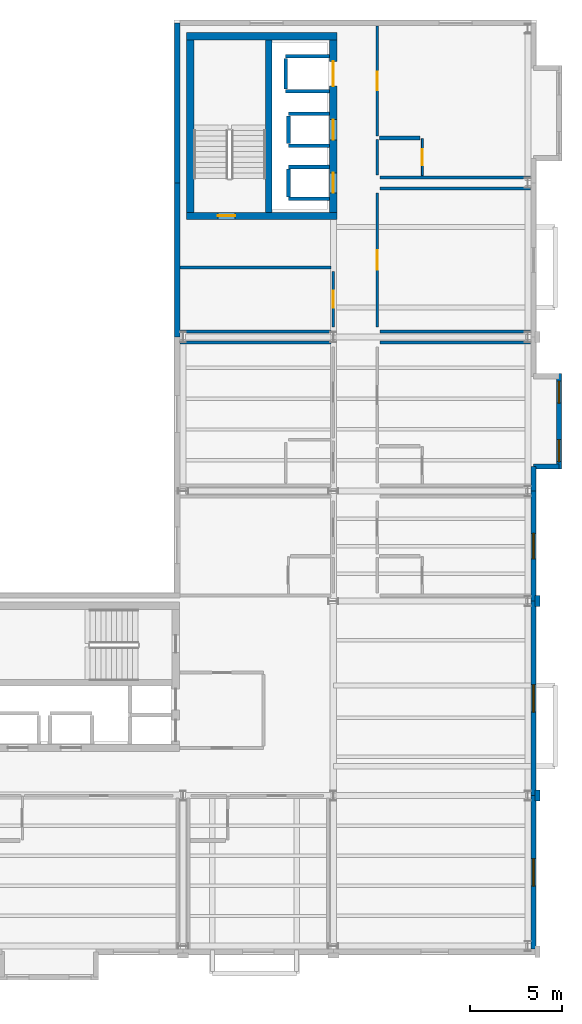
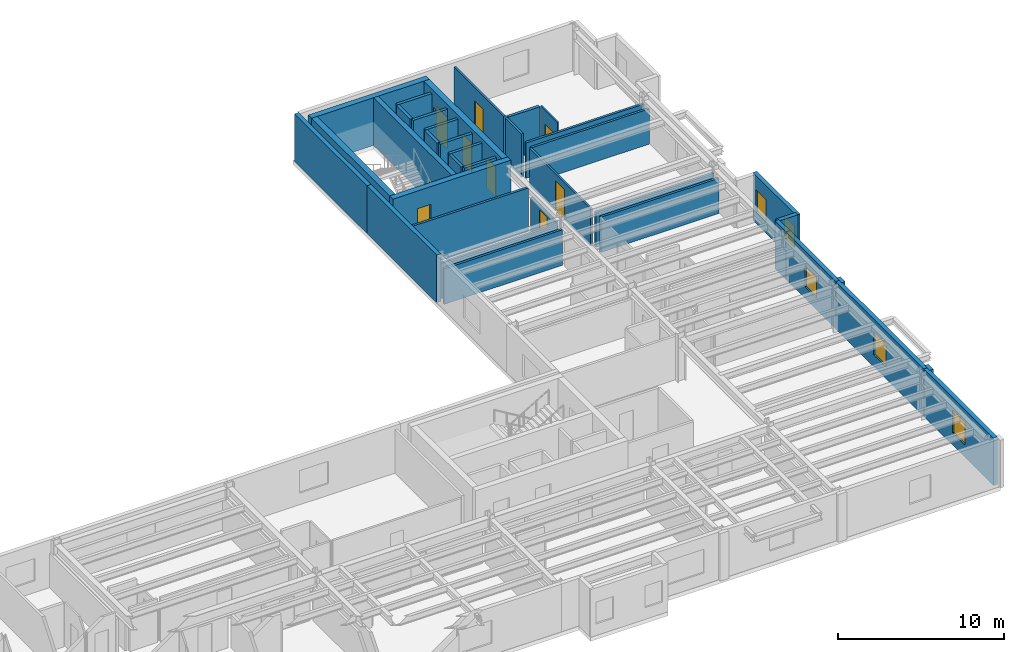
# One storey, part 14 of 17: 37 walls, 8 doors, 5 windows, 13 openings.
"""IFC4 building model written with IfcOpenShell, lengths in metres."""

from ifc_helpers import new_model, si_unit, direction, frame, frame_2d, origin, place, context, subcontext, project, spatial, rectangle, extrude, material, layer, layer_set, type_object, element, fill, save


model = new_model("IFC4")

# Units and contexts
model_context = context("Model", 3, precision=1e-05, world=origin(), true_north=direction((0.0, 1.0)))
body_context = subcontext(model_context, "Body", "Model", "MODEL_VIEW")
ifc_project = project(units=[si_unit("LENGTHUNIT", "METRE"), si_unit("AREAUNIT", "SQUARE_METRE"), si_unit("VOLUMEUNIT", "CUBIC_METRE"), si_unit("PLANEANGLEUNIT", "RADIAN"), si_unit("MASSUNIT", "GRAM", prefix="KILO")], contexts=[model_context])

# Site, building, storey
site_placement = place(None, origin())
site = spatial("IfcSite", under=ifc_project, at=site_placement, CompositionType="ELEMENT")
building_placement = place(site_placement, origin())
building = spatial("IfcBuilding", under=site, at=building_placement, Name="Sollismere Congress Hotel", CompositionType="ELEMENT")
storey_placement = place(building_placement, frame((0.0, 0.0, 37.60009765625)))
storey = spatial("IfcBuildingStorey", under=building, at=storey_placement, Name="L09", CompositionType="ELEMENT", Elevation=37.60009765625)

# Wall, opening, window
ifc_material_1 = material(Name="Colorado Buff Sandstone Rainscreen on Insulated Backup", Category="masonry")
ifc_layer_1 = layer(ifc_material_1, 0.284912109375, Name="Colorado Buff Sandstone Rainscreen on Insulated Backup")
ifc_layer_set_1 = layer_set([ifc_layer_1], Name="Colorado Buff Sandstone Rainscreen on Insulated Backup")
wall_type_1 = type_object("IfcWallType", Name="WL-EXT285", PredefinedType="STANDARD", material=ifc_layer_set_1)
wall_1_placement = place(storey_placement, frame((166.31005859375, -0.16552734375, 0.0), z_axis=(0.0, 0.0, 1.0), x_axis=(0.0, 1.0, 0.0)))
wall_1 = element("IfcWall", 1, at=wall_1_placement, inside=storey, type_object=wall_type_1, Name="Exterior wall EW-L09-908", PredefinedType="STANDARD", context=body_context, shape_type="SweptSolid", body=[
    extrude(rectangle(XDim=8.365478515625, YDim=0.284912109375, at=frame_2d((4.1826171875, 0.0))), origin(), (0.0, 0.0, 1.0), 3.5),
])
opening_1_placement = place(wall_1_placement, frame((3.4326171875, 0.0, 0.8798828125)))
opening_1 = element("IfcOpeningElement", 2, at=opening_1_placement, cuts=wall_1, Name="Opening W-L09-652", PredefinedType="OPENING", context=body_context, shape_type="SweptSolid", body=[
    extrude(rectangle(XDim=1.5, YDim=1.699951171875, at=frame_2d((0.75, 0.85009765625))), frame((0.0, 0.15234375, 0.0), z_axis=(0.0, -1.0, 0.0), x_axis=(1.0, 0.0, 0.0)), (0.0, 0.0, 1.0), 0.304931640625),
])
ifc_material_2 = material(Name="Thermally Broken Bronze Aluminum & Low-E Glass", Category="aluminium")
window_type_1 = type_object("IfcWindowType", Name="WN-P150x170", PartitioningType="SINGLE_PANEL", PredefinedType="WINDOW", material=ifc_material_2)
window_1_placement = place(opening_1_placement, origin())
window_1 = element("IfcWindow", 3, at=window_1_placement, inside=storey, type_object=window_type_1, Name="WIN-W-L09-652", OverallHeight=1.699951171875, OverallWidth=1.5, PartitioningType="SINGLE_PANEL", PredefinedType="WINDOW", context=body_context, shape_type="SweptSolid", body=[
    extrude(rectangle(XDim=1.5, YDim=1.699951171875, at=frame_2d((0.75, 0.85009765625))), frame((0.0, 0.030029296875, 0.0), z_axis=(0.0, -1.0, 0.0), x_axis=(1.0, 0.0, 0.0)), (0.0, 0.0, 1.0), 0.06005859375),
])
fill(opening_1, window_1)

wall_2_placement = place(storey_placement, frame((166.31005859375, 8.199951171875, 0.0), z_axis=(0.0, 0.0, 1.0), x_axis=(0.0, 1.0, 0.0)))
wall_2 = element("IfcWall", 4, at=wall_2_placement, inside=storey, type_object=wall_type_1, Name="Exterior wall EW-L09-910", PredefinedType="STANDARD", context=body_context, shape_type="SweptSolid", body=[
    extrude(rectangle(XDim=10.60009765625, YDim=0.284912109375, at=frame_2d((5.300048828125, 0.0))), origin(), (0.0, 0.0, 1.0), 3.5),
])
opening_2_placement = place(wall_2_placement, frame((4.550048828125, 0.0, 0.8798828125)))
opening_2 = element("IfcOpeningElement", 5, at=opening_2_placement, cuts=wall_2, Name="Opening W-L09-653", PredefinedType="OPENING", context=body_context, shape_type="SweptSolid", body=[
    extrude(rectangle(XDim=1.5, YDim=1.699951171875, at=frame_2d((0.75, 0.85009765625))), frame((0.0, 0.15234375, 0.0), z_axis=(0.0, -1.0, 0.0), x_axis=(1.0, 0.0, 0.0)), (0.0, 0.0, 1.0), 0.304931640625),
])
window_2_placement = place(opening_2_placement, origin())
window_2 = element("IfcWindow", 6, at=window_2_placement, inside=storey, type_object=window_type_1, Name="WIN-W-L09-653", OverallHeight=1.699951171875, OverallWidth=1.5, PartitioningType="SINGLE_PANEL", PredefinedType="WINDOW", context=body_context, shape_type="SweptSolid", body=[
    extrude(rectangle(XDim=1.5, YDim=1.699951171875, at=frame_2d((0.75, 0.85009765625))), frame((0.0, 0.030029296875, 0.0), z_axis=(0.0, -1.0, 0.0), x_axis=(1.0, 0.0, 0.0)), (0.0, 0.0, 1.0), 0.06005859375),
])
fill(opening_2, window_2)

wall_3_placement = place(storey_placement, frame((166.31005859375, 18.800048828125, 0.0), z_axis=(0.0, 0.0, 1.0), x_axis=(0.0, 1.0, 0.0)))
wall_3 = element("IfcWall", 7, at=wall_3_placement, inside=storey, type_object=wall_type_1, Name="Exterior wall EW-L09-912", PredefinedType="STANDARD", context=body_context, shape_type="SweptSolid", body=[
    extrude(rectangle(XDim=6.0, YDim=0.284912109375, at=frame_2d((3.0, 0.0))), origin(), (0.0, 0.0, 1.0), 3.5),
])
opening_3_placement = place(wall_3_placement, frame((2.300048828125, 0.0, 0.85009765625)))
opening_3 = element("IfcOpeningElement", 8, at=opening_3_placement, cuts=wall_3, Name="Opening W-L09-654", PredefinedType="OPENING", context=body_context, shape_type="SweptSolid", body=[
    extrude(rectangle(XDim=1.39990234375, YDim=1.550048828125, at=frame_2d((0.699951171875, 0.77490234375))), frame((0.0, 0.15234375, 0.0), z_axis=(0.0, -1.0, 0.0), x_axis=(1.0, 0.0, 0.0)), (0.0, 0.0, 1.0), 0.304931640625),
])
window_type_2 = type_object("IfcWindowType", Name="WN-P140x155", PartitioningType="SINGLE_PANEL", PredefinedType="WINDOW", material=ifc_material_2)
window_3_placement = place(opening_3_placement, origin())
window_3 = element("IfcWindow", 9, at=window_3_placement, inside=storey, type_object=window_type_2, Name="WIN-W-L09-654", OverallHeight=1.550048828125, OverallWidth=1.39990234375, PartitioningType="SINGLE_PANEL", PredefinedType="WINDOW", context=body_context, shape_type="SweptSolid", body=[
    extrude(rectangle(XDim=1.39990234375, YDim=1.550048828125, at=frame_2d((0.699951171875, 0.77490234375))), frame((0.0, 0.030029296875, 0.0), z_axis=(0.0, -1.0, 0.0), x_axis=(1.0, 0.0, 0.0)), (0.0, 0.0, 1.0), 0.06005859375),
])
fill(opening_3, window_3)

# Wall
wall_4_placement = place(storey_placement, frame((166.31005859375, 24.800048828125, 0.0), z_axis=(0.0, 0.0, 1.0), x_axis=(0.0, 1.0, 0.0)))
element("IfcWall", 10, at=wall_4_placement, inside=storey, type_object=wall_type_1, Name="Exterior wall EW-L09-914", PredefinedType="STANDARD", context=body_context, shape_type="SweptSolid", body=[
    extrude(rectangle(XDim=1.33984375, YDim=0.284912109375, at=frame_2d((0.669921875, 0.0))), origin(), (0.0, 0.0, 1.0), 3.5),
])

# Wall, openings, windows
wall_5_placement = place(storey_placement, frame((167.699951171875, 26.0, 0.0), z_axis=(0.0, 0.0, 1.0), x_axis=(0.0, 1.0, 0.0)))
wall_5 = element("IfcWall", 11, at=wall_5_placement, inside=storey, type_object=wall_type_1, Name="Exterior wall EW-L09-916", PredefinedType="STANDARD", context=body_context, shape_type="SweptSolid", body=[
    extrude(rectangle(XDim=5.199951171875, YDim=0.284912109375, at=frame_2d((2.60009765625, 0.0))), origin(), (0.0, 0.0, 1.0), 3.5),
])
opening_4_placement = place(wall_5_placement, frame((0.39990234375, 0.0, 0.85009765625)))
opening_4 = element("IfcOpeningElement", 12, at=opening_4_placement, cuts=wall_5, Name="Opening W-L09-655", PredefinedType="OPENING", context=body_context, shape_type="SweptSolid", body=[
    extrude(rectangle(XDim=1.199951171875, YDim=1.60009765625, at=frame_2d((0.60009765625, 0.800048828125))), frame((0.0, 0.15234375, 0.0), z_axis=(0.0, -1.0, 0.0), x_axis=(1.0, 0.0, 0.0)), (0.0, 0.0, 1.0), 0.304931640625),
])
opening_5_placement = place(wall_5_placement, frame((3.60009765625, 0.0, 0.85009765625)))
opening_5 = element("IfcOpeningElement", 13, at=opening_5_placement, cuts=wall_5, Name="Opening W-L09-656", PredefinedType="OPENING", context=body_context, shape_type="SweptSolid", body=[
    extrude(rectangle(XDim=1.199951171875, YDim=1.60009765625, at=frame_2d((0.60009765625, 0.800048828125))), frame((0.0, 0.15234375, 0.0), z_axis=(0.0, -1.0, 0.0), x_axis=(1.0, 0.0, 0.0)), (0.0, 0.0, 1.0), 0.304931640625),
])
window_type_3 = type_object("IfcWindowType", Name="WN-P120x160", PartitioningType="SINGLE_PANEL", PredefinedType="WINDOW", material=ifc_material_2)
window_4_placement = place(opening_4_placement, origin())
window_4 = element("IfcWindow", 14, at=window_4_placement, inside=storey, type_object=window_type_3, Name="WIN-W-L09-655", OverallHeight=1.60009765625, OverallWidth=1.199951171875, PartitioningType="SINGLE_PANEL", PredefinedType="WINDOW", context=body_context, shape_type="SweptSolid", body=[
    extrude(rectangle(XDim=1.199951171875, YDim=1.60009765625, at=frame_2d((0.60009765625, 0.800048828125))), frame((0.0, 0.030029296875, 0.0), z_axis=(0.0, -1.0, 0.0), x_axis=(1.0, 0.0, 0.0)), (0.0, 0.0, 1.0), 0.06005859375),
])
fill(opening_4, window_4)
window_5_placement = place(opening_5_placement, origin())
window_5 = element("IfcWindow", 15, at=window_5_placement, inside=storey, type_object=window_type_3, Name="WIN-W-L09-656", OverallHeight=1.60009765625, OverallWidth=1.199951171875, PartitioningType="SINGLE_PANEL", PredefinedType="WINDOW", context=body_context, shape_type="SweptSolid", body=[
    extrude(rectangle(XDim=1.199951171875, YDim=1.60009765625, at=frame_2d((0.60009765625, 0.800048828125))), frame((0.0, 0.030029296875, 0.0), z_axis=(0.0, -1.0, 0.0), x_axis=(1.0, 0.0, 0.0)), (0.0, 0.0, 1.0), 0.06005859375),
])
fill(opening_5, window_5)

# Walls
wall_6_placement = place(storey_placement, frame((166.31005859375, 26.139892578125, 0.0), z_axis=(0.0, 0.0, 1.0), x_axis=(1.0, 0.0, 0.0)))
element("IfcWall", 16, at=wall_6_placement, inside=storey, type_object=wall_type_1, Name="Exterior wall EW-L09-917", PredefinedType="STANDARD", context=body_context, shape_type="SweptSolid", body=[
    extrude(rectangle(XDim=1.389892578125, YDim=0.284912109375, at=frame_2d((0.69482421875, 0.0))), origin(), (0.0, 0.0, 1.0), 3.5),
])
wall_7_placement = place(storey_placement, frame((146.889892578125, 33.199951171875, 0.0), z_axis=(0.0, 0.0, 1.0), x_axis=(0.0, 1.0, 0.0)))
element("IfcWall", 17, at=wall_7_placement, inside=storey, type_object=wall_type_1, Name="Exterior wall EW-L09-936", PredefinedType="STANDARD", context=body_context, shape_type="SweptSolid", body=[
    extrude(rectangle(XDim=8.400146484375, YDim=0.284912109375, at=frame_2d((4.2001953125, 0.0))), origin(), (0.0, 0.0, 1.0), 3.5),
])
wall_8_placement = place(storey_placement, frame((146.889892578125, 41.60009765625, 0.0), z_axis=(0.0, 0.0, 1.0), x_axis=(0.0, 1.0, 0.0)))
element("IfcWall", 18, at=wall_8_placement, inside=storey, type_object=wall_type_1, Name="Exterior wall EW-L09-937", PredefinedType="STANDARD", context=body_context, shape_type="SweptSolid", body=[
    extrude(rectangle(XDim=8.7099609375, YDim=0.284912109375, at=frame_2d((4.35498046875, 0.0))), origin(), (0.0, 0.0, 1.0), 3.5),
])
ifc_material_3 = material(Name="Carved Travertine Pilaster & Frieze Assembly", Category="masonry")
ifc_layer_2 = layer(ifc_material_3, 0.260009765625, Name="Carved Travertine Pilaster & Frieze Assembly")
ifc_layer_set_2 = layer_set([ifc_layer_2], Name="Carved Travertine Pilaster & Frieze Assembly")
wall_type_2 = type_object("IfcWallType", Name="WL-PIL280", PredefinedType="ELEMENTEDWALL", material=ifc_layer_set_2)
for number, where, z_axis, x_axis, name in (
    (19, (166.52001953125, 7.89990234375, 0.0), (0.0, 0.0, 1.0), (0.0, 1.0, 0.0), "Exterior wall EW-L09-911"),
    (20, (166.52001953125, 18.5, 0.0), (0.0, 0.0, 1.0), (0.0, 1.0, 0.0), "Exterior wall EW-L09-913"),
):
    element("IfcWall", number, at=place(storey_placement, frame(where, z_axis=z_axis, x_axis=x_axis)), inside=storey, type_object=wall_type_2, Name=name, PredefinedType="ELEMENTEDWALL", context=body_context, shape_type="SweptSolid", body=[
        extrude(rectangle(XDim=0.60009765625, YDim=0.260009765625, at=frame_2d((0.300048828125, 0.0))), origin(), (0.0, 0.0, 1.0), 3.5),
    ])
ifc_material_4 = material(Name="Moisture-Resistant Shaft Gypsum Assembly")
ifc_layer_3 = layer(ifc_material_4, 0.199951171875, Name="Moisture-Resistant Shaft Gypsum Assembly")
ifc_layer_set_3 = layer_set([ifc_layer_3], Name="Moisture-Resistant Shaft Gypsum Assembly")
wall_type_3 = type_object("IfcWallType", Name="WL-PLM200", PredefinedType="PLUMBINGWALL", material=ifc_layer_set_3)
for number, where, z_axis, x_axis, name in (
    (21, (152.955078125, 40.72998046875, 0.0), (0.0, 0.0, 1.0), (1.0, 0.0, 0.0), "Interior wall IW-L09-0523"),
    (22, (152.955078125, 42.469970703125, 0.0), (0.0, 0.0, 1.0), (1.0, 0.0, 0.0), "Interior wall IW-L09-0524"),
):
    element("IfcWall", number, at=place(storey_placement, frame(where, z_axis=z_axis, x_axis=x_axis)), inside=storey, type_object=wall_type_3, Name=name, PredefinedType="PLUMBINGWALL", context=body_context, shape_type="SweptSolid", body=[
        extrude(rectangle(XDim=2.23291015625, YDim=0.199951171875, at=frame_2d((1.116455078125, 0.0))), origin(), (0.0, 0.0, 1.0), 3.199951171875),
    ])
wall_9_placement = place(storey_placement, frame((152.955078125, 40.842041015625, 0.0), z_axis=(0.0, 0.0, 1.0), x_axis=(0.0, 1.0, 0.0)))
element("IfcWall", 23, at=wall_9_placement, inside=storey, type_object=wall_type_3, Name="Interior wall IW-L09-0525", PredefinedType="PLUMBINGWALL", context=body_context, shape_type="SweptSolid", body=[
    extrude(rectangle(XDim=1.515869140625, YDim=0.199951171875, at=frame_2d((0.7578125, 0.0))), origin(), (0.0, 0.0, 1.0), 3.199951171875),
])
for number, where, z_axis, x_axis, name in (
    (24, (152.955078125, 43.6298828125, 0.0), (0.0, 0.0, 1.0), (1.0, 0.0, 0.0), "Interior wall IW-L09-0526"),
    (25, (152.955078125, 45.3701171875, 0.0), (0.0, 0.0, 1.0), (1.0, 0.0, 0.0), "Interior wall IW-L09-0527"),
):
    element("IfcWall", number, at=place(storey_placement, frame(where, z_axis=z_axis, x_axis=x_axis)), inside=storey, type_object=wall_type_3, Name=name, PredefinedType="PLUMBINGWALL", context=body_context, shape_type="SweptSolid", body=[
        extrude(rectangle(XDim=2.23291015625, YDim=0.199951171875, at=frame_2d((1.116455078125, 0.0))), origin(), (0.0, 0.0, 1.0), 3.199951171875),
    ])
wall_10_placement = place(storey_placement, frame((152.955078125, 43.741943359375, 0.0), z_axis=(0.0, 0.0, 1.0), x_axis=(0.0, 1.0, 0.0)))
element("IfcWall", 26, at=wall_10_placement, inside=storey, type_object=wall_type_3, Name="Interior wall IW-L09-0528", PredefinedType="PLUMBINGWALL", context=body_context, shape_type="SweptSolid", body=[
    extrude(rectangle(XDim=1.51611328125, YDim=0.199951171875, at=frame_2d((0.758056640625, 0.0))), origin(), (0.0, 0.0, 1.0), 3.199951171875),
])
for number, where, z_axis, x_axis, name in (
    (27, (152.800048828125, 46.60498046875, 0.0), (0.0, 0.0, 1.0), (1.0, 0.0, 0.0), "Interior wall IW-L09-0529"),
    (28, (152.800048828125, 48.4951171875, 0.0), (0.0, 0.0, 1.0), (1.0, 0.0, 0.0), "Interior wall IW-L09-0530"),
):
    element("IfcWall", number, at=place(storey_placement, frame(where, z_axis=z_axis, x_axis=x_axis)), inside=storey, type_object=wall_type_3, Name=name, PredefinedType="PLUMBINGWALL", context=body_context, shape_type="SweptSolid", body=[
        extrude(rectangle(XDim=2.387939453125, YDim=0.199951171875, at=frame_2d((1.19384765625, 0.0))), origin(), (0.0, 0.0, 1.0), 3.199951171875),
    ])
wall_11_placement = place(storey_placement, frame((152.800048828125, 46.717041015625, 0.0), z_axis=(0.0, 0.0, 1.0), x_axis=(0.0, 1.0, 0.0)))
element("IfcWall", 29, at=wall_11_placement, inside=storey, type_object=wall_type_3, Name="Interior wall IW-L09-0531", PredefinedType="PLUMBINGWALL", context=body_context, shape_type="SweptSolid", body=[
    extrude(rectangle(XDim=1.666015625, YDim=0.199951171875, at=frame_2d((0.8330078125, 0.0))), origin(), (0.0, 0.0, 1.0), 3.199951171875),
])
wall_12_placement = place(storey_placement, frame((157.919921875, 44.050048828125, 0.0), z_axis=(0.0, 0.0, 1.0), x_axis=(1.0, 0.0, 0.0)))
element("IfcWall", 30, at=wall_12_placement, inside=storey, type_object=wall_type_3, Name="Interior wall IW-L09-2715", PredefinedType="PLUMBINGWALL", context=body_context, shape_type="SweptSolid", body=[
    extrude(rectangle(XDim=2.2099609375, YDim=0.199951171875, at=frame_2d((1.10498046875, 0.0))), origin(), (0.0, 0.0, 1.0), 3.199951171875),
])

# Wall, opening, door
ifc_material_5 = material(Name="Moisture-Resistant Gypsum Partition")
ifc_layer_4 = layer(ifc_material_5, 0.10009765625, Name="Moisture-Resistant Gypsum Partition")
ifc_layer_set_4 = layer_set([ifc_layer_4], Name="Moisture-Resistant Gypsum Partition")
wall_type_4 = type_object("IfcWallType", Name="WL-PRT100", PredefinedType="PARTITIONING", material=ifc_layer_set_4)
wall_13_placement = place(storey_placement, frame((160.25, 41.994384765625, 0.0), z_axis=(0.0, 0.0, 1.0), x_axis=(0.0, 1.0, 0.0)))
wall_13 = element("IfcWall", 31, at=wall_13_placement, inside=storey, type_object=wall_type_4, Name="Interior wall IW-L09-2716", PredefinedType="PARTITIONING", context=body_context, shape_type="SweptSolid", body=[
    extrude(rectangle(XDim=2.015625, YDim=0.10009765625, at=frame_2d((1.0078125, 0.0))), origin(), (0.0, 0.0, 1.0), 3.199951171875),
])
opening_6_placement = place(wall_13_placement, frame((0.568115234375, 0.0, 0.0)))
opening_6 = element("IfcOpeningElement", 32, at=opening_6_placement, cuts=wall_13, Name="Opening D-L09-0959", PredefinedType="OPENING", context=body_context, shape_type="SweptSolid", body=[
    extrude(rectangle(XDim=0.8798828125, YDim=2.179931640625, at=frame_2d((0.43994140625, 1.08984375))), frame((0.0, 0.06005859375, 0.0), z_axis=(0.0, -1.0, 0.0), x_axis=(1.0, 0.0, 0.0)), (0.0, 0.0, 1.0), 0.1201171875),
])
ifc_material_6 = material(Name="Moisture-Sealed Timber Bathroom Door", Category="wood")
door_type_1 = type_object("IfcDoorType", Name="DR-BT05", OperationType="NOTDEFINED", PredefinedType="DOOR", material=ifc_material_6)
door_1_placement = place(opening_6_placement, origin())
door_1 = element("IfcDoor", 33, at=door_1_placement, inside=storey, type_object=door_type_1, Name="En-suite bathroom door D-L09-0959", OperationType="SINGLE_SWING_RIGHT", OverallHeight=2.179931640625, OverallWidth=0.8798828125, PredefinedType="DOOR", context=body_context, shape_type="SweptSolid", body=[
    extrude(rectangle(XDim=0.8798828125, YDim=2.179931640625, at=frame_2d((0.43994140625, 1.08984375))), frame((0.0, 0.02490234375, 0.0), z_axis=(0.0, -1.0, 0.0), x_axis=(1.0, 0.0, 0.0)), (0.0, 0.0, 1.0), 0.050048828125),
])
fill(opening_6, door_1)

# Wall
ifc_material_7 = material(Name="Fire-Rated Gypsum Partition")
ifc_layer_5 = layer(ifc_material_7, 0.139892578125, Name="Fire-Rated Gypsum Partition")
ifc_layer_set_5 = layer_set([ifc_layer_5], Name="Fire-Rated Gypsum Partition")
wall_type_5 = type_object("IfcWallType", Name="WL-PRT140R", PredefinedType="PARTITIONING", material=ifc_layer_set_5)
wall_14_placement = place(storey_placement, frame((157.800048828125, 42.0400390625, 0.0), z_axis=(0.0, 0.0, 1.0), x_axis=(0.0, 1.0, 0.0)))
element("IfcWall", 34, at=wall_14_placement, inside=storey, type_object=wall_type_5, Name="Interior wall IW-L09-2712", PredefinedType="PARTITIONING", context=body_context, shape_type="SweptSolid", body=[
    extrude(rectangle(XDim=1.929931640625, YDim=0.139892578125, at=frame_2d((0.96484375, 0.0))), origin(), (0.0, 0.0, 1.0), 3.199951171875),
])

# Wall, opening, door
wall_15_placement = place(storey_placement, frame((157.800048828125, 44.169921875, 0.0), z_axis=(0.0, 0.0, 1.0), x_axis=(0.0, 1.0, 0.0)))
wall_15 = element("IfcWall", 35, at=wall_15_placement, inside=storey, type_object=wall_type_5, Name="Interior wall IW-L09-2713", PredefinedType="PARTITIONING", context=body_context, shape_type="SweptSolid", body=[
    extrude(rectangle(XDim=5.982666015625, YDim=0.139892578125, at=frame_2d((2.9912109375, 0.0))), origin(), (0.0, 0.0, 1.0), 3.199951171875),
])
opening_7_placement = place(wall_15_placement, frame((2.486083984375, 0.0, 0.0)))
opening_7 = element("IfcOpeningElement", 36, at=opening_7_placement, cuts=wall_15, Name="Opening D-L09-0958", PredefinedType="OPENING", context=body_context, shape_type="SweptSolid", body=[
    extrude(rectangle(XDim=1.010009765625, YDim=2.199951171875, at=frame_2d((0.5048828125, 1.10009765625))), frame((0.0, 0.079833984375, 0.0), z_axis=(0.0, -1.0, 0.0), x_axis=(1.0, 0.0, 0.0)), (0.0, 0.0, 1.0), 0.159912109375),
])
ifc_material_8 = material(Name="Solid-Core Acoustic Walnut Guestroom Entry Door")
door_type_2 = type_object("IfcDoorType", Name="DR-KY04", OperationType="NOTDEFINED", PredefinedType="DOOR", material=ifc_material_8)
door_2_placement = place(opening_7_placement, origin())
door_2 = element("IfcDoor", 37, at=door_2_placement, inside=storey, type_object=door_type_2, Name="Hotel room entry door D-L09-0958", OperationType="SINGLE_SWING_LEFT", OverallHeight=2.199951171875, OverallWidth=1.010009765625, PredefinedType="DOOR", context=body_context, shape_type="SweptSolid", body=[
    extrude(rectangle(XDim=1.010009765625, YDim=2.199951171875, at=frame_2d((0.5048828125, 1.10009765625))), frame((0.0, 0.02490234375, 0.0), z_axis=(0.0, -1.0, 0.0), x_axis=(1.0, 0.0, 0.0)), (0.0, 0.0, 1.0), 0.050048828125),
])
fill(opening_7, door_2)

wall_16_placement = place(storey_placement, frame((157.800048828125, 33.739990234375, 0.0), z_axis=(0.0, 0.0, 1.0), x_axis=(0.0, 1.0, 0.0)))
wall_16 = element("IfcWall", 38, at=wall_16_placement, inside=storey, type_object=wall_type_5, Name="Interior wall IW-L09-2723", PredefinedType="PARTITIONING", context=body_context, shape_type="SweptSolid", body=[
    extrude(rectangle(XDim=7.320068359375, YDim=0.139892578125, at=frame_2d((3.66015625, 0.0))), origin(), (0.0, 0.0, 1.0), 2.7529296875),
])
opening_8_placement = place(wall_16_placement, frame((3.125, 0.0, 0.0)))
opening_8 = element("IfcOpeningElement", 39, at=opening_8_placement, cuts=wall_16, Name="Opening D-L09-0962", PredefinedType="OPENING", context=body_context, shape_type="SweptSolid", body=[
    extrude(rectangle(XDim=1.070068359375, YDim=2.25, at=frame_2d((0.53515625, 1.125))), frame((0.0, 0.079833984375, 0.0), z_axis=(0.0, -1.0, 0.0), x_axis=(1.0, 0.0, 0.0)), (0.0, 0.0, 1.0), 0.159912109375),
])
door_type_3 = type_object("IfcDoorType", Name="DR-KY06", OperationType="NOTDEFINED", PredefinedType="DOOR", material=ifc_material_8)
door_3_placement = place(opening_8_placement, origin())
door_3 = element("IfcDoor", 40, at=door_3_placement, inside=storey, type_object=door_type_3, Name="Hotel room entry door D-L09-0962", OperationType="SINGLE_SWING_LEFT", OverallHeight=2.25, OverallWidth=1.070068359375, PredefinedType="DOOR", context=body_context, shape_type="SweptSolid", body=[
    extrude(rectangle(XDim=1.070068359375, YDim=2.25, at=frame_2d((0.53515625, 1.125))), frame((0.0, 0.02490234375, 0.0), z_axis=(0.0, -1.0, 0.0), x_axis=(1.0, 0.0, 0.0)), (0.0, 0.0, 1.0), 0.050048828125),
])
fill(opening_8, door_3)

wall_17_placement = place(storey_placement, frame((155.39990234375, 33.739990234375, 0.0), z_axis=(0.0, 0.0, 1.0), x_axis=(0.0, 1.0, 0.0)))
wall_17 = element("IfcWall", 41, at=wall_17_placement, inside=storey, type_object=wall_type_5, Name="Interior wall IW-L09-2726", PredefinedType="PARTITIONING", context=body_context, shape_type="SweptSolid", body=[
    extrude(rectangle(XDim=3.02001953125, YDim=0.139892578125, at=frame_2d((1.510009765625, 0.0))), origin(), (0.0, 0.0, 1.0), 2.58984375),
])
opening_9_placement = place(wall_17_placement, frame((1.050048828125, 0.0, 0.0)))
opening_9 = element("IfcOpeningElement", 42, at=opening_9_placement, cuts=wall_17, Name="Opening D-L09-0963", PredefinedType="OPENING", context=body_context, shape_type="SweptSolid", body=[
    extrude(rectangle(XDim=0.919921875, YDim=2.300048828125, at=frame_2d((0.4599609375, 1.14990234375))), frame((0.0, 0.079833984375, 0.0), z_axis=(0.0, -1.0, 0.0), x_axis=(1.0, 0.0, 0.0)), (0.0, 0.0, 1.0), 0.159912109375),
])
door_type_4 = type_object("IfcDoorType", Name="DR-KY07", OperationType="NOTDEFINED", PredefinedType="DOOR", material=ifc_material_8)
door_4_placement = place(opening_9_placement, origin())
door_4 = element("IfcDoor", 43, at=door_4_placement, inside=storey, type_object=door_type_4, Name="Hotel room entry door D-L09-0963", OperationType="SINGLE_SWING_RIGHT", OverallHeight=2.300048828125, OverallWidth=0.919921875, PredefinedType="DOOR", context=body_context, shape_type="SweptSolid", body=[
    extrude(rectangle(XDim=0.919921875, YDim=2.300048828125, at=frame_2d((0.4599609375, 1.14990234375))), frame((0.0, 0.02490234375, 0.0), z_axis=(0.0, -1.0, 0.0), x_axis=(1.0, 0.0, 0.0)), (0.0, 0.0, 1.0), 0.050048828125),
])
fill(opening_9, door_4)

# Walls
ifc_material_9 = material(Name="Fire-Rated Acoustic Gypsum Partition")
ifc_layer_6 = layer(ifc_material_9, 0.1650390625, Name="Fire-Rated Acoustic Gypsum Partition")
ifc_layer_set_6 = layer_set([ifc_layer_6], Name="Fire-Rated Acoustic Gypsum Partition")
wall_type_6 = type_object("IfcWallType", Name="WL-PRT165R", PredefinedType="PARTITIONING", material=ifc_layer_set_6)
for number, where, z_axis, x_axis, name in (
    (44, (157.93994140625, 32.89990234375, 0.0), (0.0, 0.0, 1.0), (1.0, 0.0, 0.0), "Interior wall IW-L09-2709"),
    (45, (157.93994140625, 41.89990234375, 0.0), (0.0, 0.0, 1.0), (1.0, 0.0, 0.0), "Interior wall IW-L09-2714"),
):
    element("IfcWall", number, at=place(storey_placement, frame(where, z_axis=z_axis, x_axis=x_axis)), inside=storey, type_object=wall_type_6, Name=name, PredefinedType="PARTITIONING", context=body_context, shape_type="SweptSolid", body=[
        extrude(rectangle(XDim=8.212646484375, YDim=0.1650390625, at=frame_2d((4.1064453125, 0.0))), origin(), (0.0, 0.0, 1.0), 2.58984375),
    ])
wall_18_placement = place(storey_placement, frame((147.047607421875, 32.89990234375, 0.0), z_axis=(0.0, 0.0, 1.0), x_axis=(1.0, 0.0, 0.0)))
element("IfcWall", 46, at=wall_18_placement, inside=storey, type_object=wall_type_6, Name="Interior wall IW-L09-2722", PredefinedType="PARTITIONING", context=body_context, shape_type="SweptSolid", body=[
    extrude(rectangle(XDim=8.21240234375, YDim=0.1650390625, at=frame_2d((4.106201171875, 0.0))), origin(), (0.0, 0.0, 1.0), 2.61279296875),
])
for number, where, z_axis, x_axis, name in (
    (47, (157.93994140625, 33.5, 0.0), (0.0, 0.0, 1.0), (1.0, 0.0, 0.0), "Interior wall IW-L09-2724"),
    (48, (157.93994140625, 41.300048828125, 0.0), (0.0, 0.0, 1.0), (1.0, 0.0, 0.0), "Interior wall IW-L09-2725"),
):
    element("IfcWall", number, at=place(storey_placement, frame(where, z_axis=z_axis, x_axis=x_axis)), inside=storey, type_object=wall_type_6, Name=name, PredefinedType="PARTITIONING", context=body_context, shape_type="SweptSolid", body=[
        extrude(rectangle(XDim=8.212646484375, YDim=0.1650390625, at=frame_2d((4.1064453125, 0.0))), origin(), (0.0, 0.0, 1.0), 2.58984375),
    ])
wall_19_placement = place(storey_placement, frame((147.047607421875, 33.5, 0.0), z_axis=(0.0, 0.0, 1.0), x_axis=(1.0, 0.0, 0.0)))
element("IfcWall", 49, at=wall_19_placement, inside=storey, type_object=wall_type_6, Name="Interior wall IW-L09-2727", PredefinedType="PARTITIONING", context=body_context, shape_type="SweptSolid", body=[
    extrude(rectangle(XDim=8.21240234375, YDim=0.1650390625, at=frame_2d((4.106201171875, 0.0))), origin(), (0.0, 0.0, 1.0), 2.61279296875),
])
wall_20_placement = place(storey_placement, frame((147.047607421875, 37.0, 0.0), z_axis=(0.0, 0.0, 1.0), x_axis=(1.0, 0.0, 0.0)))
element("IfcWall", 50, at=wall_20_placement, inside=storey, type_object=wall_type_6, Name="Interior wall IW-L09-2728", PredefinedType="PARTITIONING", context=body_context, shape_type="SweptSolid", body=[
    extrude(rectangle(XDim=8.21240234375, YDim=0.1650390625, at=frame_2d((4.106201171875, 0.0))), origin(), (0.0, 0.0, 1.0), 3.199951171875),
])
ifc_material_10 = material(Name="Concrete C50/60", Category="concrete")
ifc_layer_7 = layer(ifc_material_10, 0.35009765625, Name="Concrete C50/60")
ifc_layer_set_7 = layer_set([ifc_layer_7], Name="Concrete C50/60")
wall_type_7 = type_object("IfcWallType", Name="WL-SHR350", PredefinedType="SHEAR", material=ifc_layer_set_7)
wall_21_placement = place(storey_placement, frame((151.875, 40.0, 0.0), z_axis=(0.0, 0.0, 1.0), x_axis=(0.0, 1.0, 0.0)))
element("IfcWall", 51, at=wall_21_placement, inside=storey, type_object=wall_type_7, Name="Interior wall IW-L09-0522", PredefinedType="SHEAR", context=body_context, shape_type="SweptSolid", body=[
    extrude(rectangle(XDim=9.39990234375, YDim=0.35009765625, at=frame_2d((4.699951171875, 0.0))), origin(), (0.0, 0.0, 1.0), 3.5),
])

# Wall, opening, door
ifc_layer_8 = layer(ifc_material_10, 0.39990234375, Name="Concrete C50/60")
ifc_layer_set_8 = layer_set([ifc_layer_8], Name="Concrete C50/60")
wall_type_8 = type_object("IfcWallType", Name="WL-SHR400", PredefinedType="SHEAR", material=ifc_layer_set_8)
wall_22_placement = place(storey_placement, frame((147.39990234375, 39.800048828125, 0.0), z_axis=(0.0, 0.0, 1.0), x_axis=(1.0, 0.0, 0.0)))
wall_22 = element("IfcWall", 52, at=wall_22_placement, inside=storey, type_object=wall_type_8, Name="Interior wall IW-L09-0518", PredefinedType="SHEAR", context=body_context, shape_type="SweptSolid", body=[
    extrude(rectangle(XDim=8.2001953125, YDim=0.39990234375, at=frame_2d((4.10009765625, 0.0))), origin(), (0.0, 0.0, 1.0), 3.5),
])
opening_10_placement = place(wall_22_placement, frame((1.699951171875, 0.0, 0.0)))
opening_10 = element("IfcOpeningElement", 53, at=opening_10_placement, cuts=wall_22, Name="Opening D-ST-03-L09", PredefinedType="OPENING", context=body_context, shape_type="SweptSolid", body=[
    extrude(rectangle(XDim=0.949951171875, YDim=2.199951171875, at=frame_2d((0.47509765625, 1.10009765625))), frame((0.0, 0.2099609375, 0.0), z_axis=(0.0, -1.0, 0.0), x_axis=(1.0, 0.0, 0.0)), (0.0, 0.0, 1.0), 0.419921875),
])
ifc_material_11 = material(Name="Fire-Rated Insulated Steel Door", Category="steel")
door_type_5 = type_object("IfcDoorType", Name="DR-FD90", OperationType="NOTDEFINED", PredefinedType="DOOR", material=ifc_material_11)
door_5_placement = place(opening_10_placement, origin())
door_5 = element("IfcDoor", 54, at=door_5_placement, inside=storey, type_object=door_type_5, Name="Exit stair fire door D-ST-03-L09", OperationType="SINGLE_SWING_LEFT", OverallHeight=2.199951171875, OverallWidth=0.949951171875, PredefinedType="DOOR", context=body_context, shape_type="SweptSolid", body=[
    extrude(rectangle(XDim=0.949951171875, YDim=2.199951171875, at=frame_2d((0.47509765625, 1.10009765625))), frame((0.0, 0.02490234375, 0.0), z_axis=(0.0, -1.0, 0.0), x_axis=(1.0, 0.0, 0.0)), (0.0, 0.0, 1.0), 0.050048828125),
])
fill(opening_10, door_5)

# Walls
wall_23_placement = place(storey_placement, frame((155.60009765625, 49.60009765625, 0.0), z_axis=(0.0, 0.0, 1.0), x_axis=(-1.0, 0.0, 0.0)))
element("IfcWall", 55, at=wall_23_placement, inside=storey, type_object=wall_type_8, Name="Interior wall IW-L09-0519", PredefinedType="SHEAR", context=body_context, shape_type="SweptSolid", body=[
    extrude(rectangle(XDim=8.2001953125, YDim=0.39990234375, at=frame_2d((4.10009765625, 0.0))), origin(), (0.0, 0.0, 1.0), 3.5),
])
wall_24_placement = place(storey_placement, frame((147.60009765625, 49.39990234375, 0.0), z_axis=(0.0, 0.0, 1.0), x_axis=(0.0, -1.0, 0.0)))
element("IfcWall", 56, at=wall_24_placement, inside=storey, type_object=wall_type_8, Name="Interior wall IW-L09-0520", PredefinedType="SHEAR", context=body_context, shape_type="SweptSolid", body=[
    extrude(rectangle(XDim=9.39990234375, YDim=0.39990234375, at=frame_2d((4.699951171875, 0.0))), origin(), (0.0, 0.0, 1.0), 3.5),
])

# Wall, openings, doors
wall_25_placement = place(storey_placement, frame((155.39990234375, 40.0, 0.0), z_axis=(0.0, 0.0, 1.0), x_axis=(0.0, 1.0, 0.0)))
wall_25 = element("IfcWall", 57, at=wall_25_placement, inside=storey, type_object=wall_type_8, Name="Interior wall IW-L09-0521", PredefinedType="SHEAR", context=body_context, shape_type="SweptSolid", body=[
    extrude(rectangle(XDim=9.39990234375, YDim=0.39990234375, at=frame_2d((4.699951171875, 0.0))), origin(), (0.0, 0.0, 1.0), 3.5),
])
opening_11_placement = place(wall_25_placement, frame((1.050048828125, 0.0, 0.0)))
opening_11 = element("IfcOpeningElement", 58, at=opening_11_placement, cuts=wall_25, Name="Opening LD-LP-05-L09", PredefinedType="OPENING", context=body_context, shape_type="SweptSolid", body=[
    extrude(rectangle(XDim=1.10009765625, YDim=2.199951171875, at=frame_2d((0.550048828125, 1.10009765625))), frame((0.0, 0.2099609375, 0.0), z_axis=(0.0, -1.0, 0.0), x_axis=(1.0, 0.0, 0.0)), (0.0, 0.0, 1.0), 0.419921875),
])
opening_12_placement = place(wall_25_placement, frame((3.949951171875, 0.0, 0.0)))
opening_12 = element("IfcOpeningElement", 59, at=opening_12_placement, cuts=wall_25, Name="Opening LD-LP-06-L09", PredefinedType="OPENING", context=body_context, shape_type="SweptSolid", body=[
    extrude(rectangle(XDim=1.10009765625, YDim=2.199951171875, at=frame_2d((0.550048828125, 1.10009765625))), frame((0.0, 0.2099609375, 0.0), z_axis=(0.0, -1.0, 0.0), x_axis=(1.0, 0.0, 0.0)), (0.0, 0.0, 1.0), 0.419921875),
])
opening_13_placement = place(wall_25_placement, frame((6.875, 0.0, 0.0)))
opening_13 = element("IfcOpeningElement", 60, at=opening_13_placement, cuts=wall_25, Name="Opening LD-LS-02-L09", PredefinedType="OPENING", context=body_context, shape_type="SweptSolid", body=[
    extrude(rectangle(XDim=1.35009765625, YDim=2.300048828125, at=frame_2d((0.675048828125, 1.14990234375))), frame((0.0, 0.2099609375, 0.0), z_axis=(0.0, -1.0, 0.0), x_axis=(1.0, 0.0, 0.0)), (0.0, 0.0, 1.0), 0.419921875),
])
ifc_material_12 = material(Name="Brushed Bronze Sliding Elevator Landing Door")
door_type_6 = type_object("IfcDoorType", Name="DR-LD110", OperationType="NOTDEFINED", PredefinedType="DOOR", material=ifc_material_12)
door_6_placement = place(opening_11_placement, origin())
door_6 = element("IfcDoor", 61, at=door_6_placement, inside=storey, type_object=door_type_6, Name="Elevator landing door LD-LP-05-L09", OperationType="SLIDING_TO_LEFT", OverallHeight=2.199951171875, OverallWidth=1.10009765625, PredefinedType="DOOR", context=body_context, shape_type="SweptSolid", body=[
    extrude(rectangle(XDim=1.10009765625, YDim=2.199951171875, at=frame_2d((0.550048828125, 1.10009765625))), frame((0.0, 0.02490234375, 0.0), z_axis=(0.0, -1.0, 0.0), x_axis=(1.0, 0.0, 0.0)), (0.0, 0.0, 1.0), 0.050048828125),
])
fill(opening_11, door_6)
door_7_placement = place(opening_12_placement, origin())
door_7 = element("IfcDoor", 62, at=door_7_placement, inside=storey, type_object=door_type_6, Name="Elevator landing door LD-LP-06-L09", OperationType="SLIDING_TO_RIGHT", OverallHeight=2.199951171875, OverallWidth=1.10009765625, PredefinedType="DOOR", context=body_context, shape_type="SweptSolid", body=[
    extrude(rectangle(XDim=1.10009765625, YDim=2.199951171875, at=frame_2d((0.550048828125, 1.10009765625))), frame((0.0, 0.02490234375, 0.0), z_axis=(0.0, -1.0, 0.0), x_axis=(1.0, 0.0, 0.0)), (0.0, 0.0, 1.0), 0.050048828125),
])
fill(opening_12, door_7)
ifc_material_13 = material(Name="Heavy-Duty Stainless Sliding Service Landing Door")
door_type_7 = type_object("IfcDoorType", Name="DR-LD135", OperationType="NOTDEFINED", PredefinedType="DOOR", material=ifc_material_13)
door_8_placement = place(opening_13_placement, origin())
door_8 = element("IfcDoor", 63, at=door_8_placement, inside=storey, type_object=door_type_7, Name="Elevator landing door LD-LS-02-L09", OperationType="SLIDING_TO_LEFT", OverallHeight=2.300048828125, OverallWidth=1.35009765625, PredefinedType="DOOR", context=body_context, shape_type="SweptSolid", body=[
    extrude(rectangle(XDim=1.35009765625, YDim=2.300048828125, at=frame_2d((0.675048828125, 1.14990234375))), frame((0.0, 0.02490234375, 0.0), z_axis=(0.0, -1.0, 0.0), x_axis=(1.0, 0.0, 0.0)), (0.0, 0.0, 1.0), 0.050048828125),
])
fill(opening_13, door_8)

save(model, "model.ifc")
